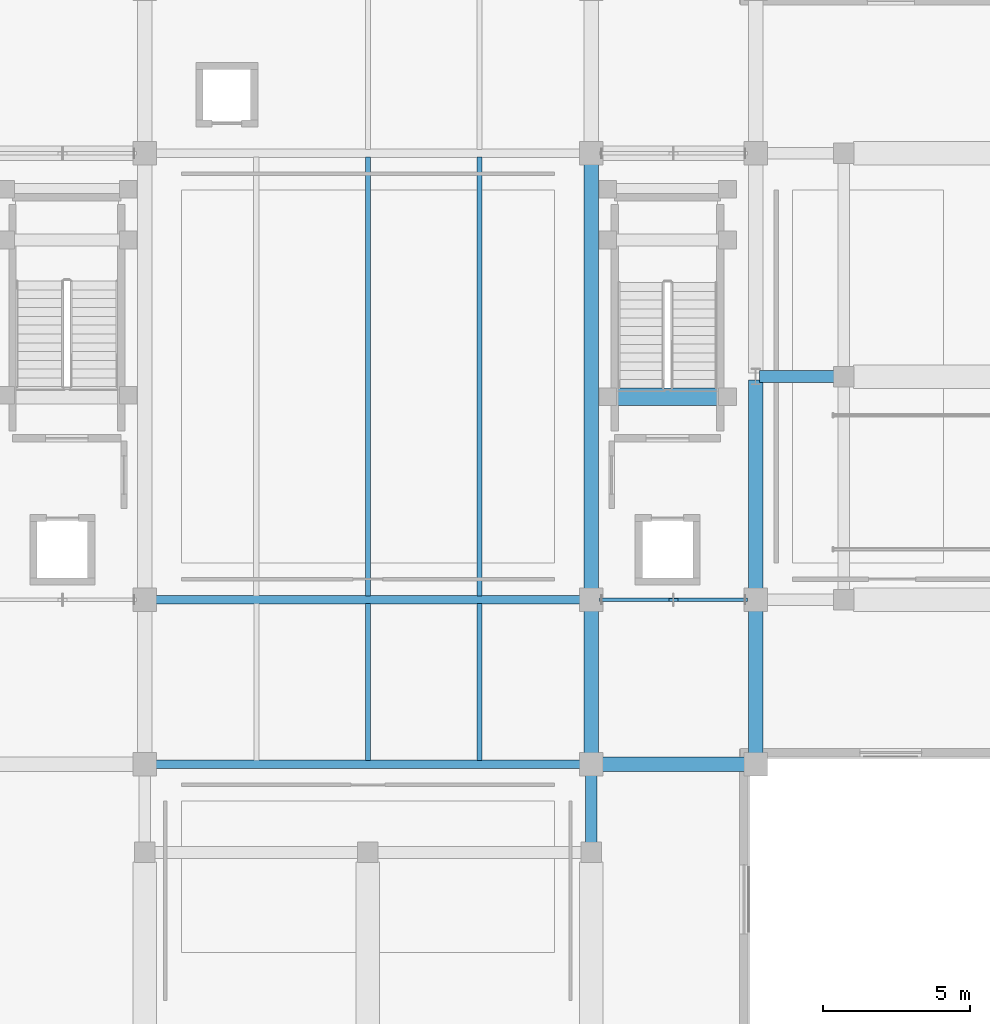
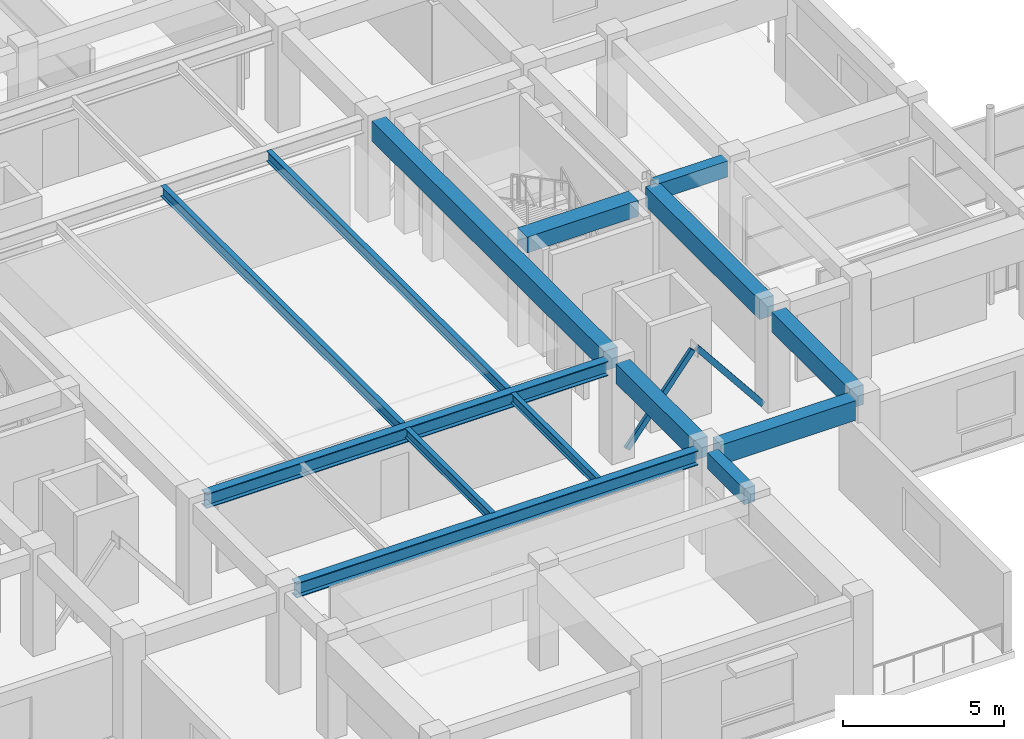
# One storey, part 21 of 70: 14 beams, 2 members.
"""IFC4 building model written with IfcOpenShell, lengths in metres."""

from ifc_helpers import new_model, si_unit, direction, frame, origin, origin_2d, place, context, subcontext, project, spatial, rectangle, hollow_rectangle, i_section, extrude, material, material_profile, profile_set, type_object, element, save


model = new_model("IFC4")

# Units and contexts
model_context = context("Model", 3, precision=1e-05, world=origin(), true_north=direction((0.0, 1.0)))
body_context = subcontext(model_context, "Body", "Model", "MODEL_VIEW")
ifc_project = project(units=[si_unit("LENGTHUNIT", "METRE"), si_unit("AREAUNIT", "SQUARE_METRE"), si_unit("VOLUMEUNIT", "CUBIC_METRE"), si_unit("PLANEANGLEUNIT", "RADIAN"), si_unit("MASSUNIT", "GRAM", prefix="KILO")], contexts=[model_context])

# Site, building, storey
site_placement = place(None, origin())
site = spatial("IfcSite", under=ifc_project, at=site_placement, CompositionType="ELEMENT")
building_placement = place(site_placement, origin())
building = spatial("IfcBuilding", under=site, at=building_placement, Name="Saryqyr Civic Hall", CompositionType="ELEMENT")
storey_placement = place(building_placement, frame((0.0, 0.0, 13.199951171875)))
storey = spatial("IfcBuildingStorey", under=building, at=storey_placement, Name="L03", CompositionType="ELEMENT", Elevation=13.199951171875)

# Beams
ifc_material_1 = material(Name="Steel S355", Category="steel")
ifc_material_profile_1 = material_profile(ifc_material_1, i_section(OverallWidth=0.300048828125, OverallDepth=0.550048828125, WebThickness=0.014892578125, FlangeThickness=0.029052734375, at=origin_2d()), Name="HEB 550")
ifc_profile_set_1 = profile_set([ifc_material_profile_1], Name="Steel S355")
beam_type_1 = type_object("IfcBeamType", Name="STR-BM-HEB550", PredefinedType="BEAM", material=ifc_profile_set_1)
for number, where, z_axis, x_axis, name in (
    (1, (49.77490234375, 70.800048828125, 3.51513671875), (1.0, 0.0, 0.0), (0.0, 1.0, 0.0), "Beam V1-GBM-EW1-L03"),
    (2, (49.77490234375, 76.39990234375, 3.51513671875), (1.0, 0.0, 0.0), (0.0, 1.0, 0.0), "Beam V1-GBM-EW2-L03"),
):
    element("IfcBeam", number, at=place(storey_placement, frame(where, z_axis=z_axis, x_axis=x_axis)), inside=storey, type_object=beam_type_1, Name=name, PredefinedType="BEAM", context=body_context, shape_type="SweptSolid", body=[
        extrude(i_section(OverallWidth=0.300048828125, OverallDepth=0.550048828125, WebThickness=0.014892578125, FlangeThickness=0.029052734375, at=origin_2d()), origin(), (0.0, 0.0, 1.0), 14.4501953125),
    ])
ifc_material_2 = material(Name="Concrete C35/45", Category="concrete")
ifc_material_profile_2 = material_profile(ifc_material_2, rectangle(XDim=0.39990234375, YDim=0.60009765625, at=origin_2d()), Name="RC 400x600")
ifc_profile_set_2 = profile_set([ifc_material_profile_2], Name="Concrete C35/45")
beam_type_2 = type_object("IfcBeamType", Name="STR-BM-RC400x600", PredefinedType="BEAM", material=ifc_profile_set_2)
beam_1_placement = place(storey_placement, frame((70.324951171875, 84.0, 3.489990234375), z_axis=(1.0, 0.0, 0.0), x_axis=(0.0, 1.0, 0.0)))
element("IfcBeam", 3, at=beam_1_placement, inside=storey, type_object=beam_type_2, Name="Beam V1-TBM-13-L03", PredefinedType="BEAM", context=body_context, shape_type="SweptSolid", body=[
    extrude(rectangle(XDim=0.39990234375, YDim=0.60009765625, at=origin_2d()), origin(), (0.0, 0.0, 1.0), 2.550048828125),
])
beam_2_placement = place(storey_placement, frame((64.60009765625, 68.125, 3.489990234375), z_axis=(0.0, 1.0, 0.0), x_axis=(-1.0, 0.0, 0.0)))
element("IfcBeam", 4, at=beam_2_placement, inside=storey, type_object=beam_type_2, Name="Beam V1-TBM-16-L03", PredefinedType="BEAM", context=body_context, shape_type="SweptSolid", body=[
    extrude(rectangle(XDim=0.39990234375, YDim=0.60009765625, at=origin_2d()), origin(), (0.0, 0.0, 1.0), 2.300048828125),
])
ifc_material_3 = material(Name="Concrete C40/50", Category="concrete")
ifc_material_profile_3 = material_profile(ifc_material_3, rectangle(XDim=0.5, YDim=0.75, at=origin_2d()), Name="RC 500x750")
ifc_profile_set_3 = profile_set([ifc_material_profile_3], Name="Concrete C40/50")
beam_type_3 = type_object("IfcBeamType", Name="STR-BM-RC500x750", PredefinedType="BEAM", material=ifc_profile_set_3)
for number, where, z_axis, x_axis, name in (
    (5, (64.97509765625, 70.800048828125, 3.4150390625), (1.0, 0.0, 0.0), (0.0, 1.0, 0.0), "Beam V1-WBM-E1-L03"),
    (6, (64.60009765625, 71.175048828125, 3.4150390625), (0.0, 1.0, 0.0), (-1.0, 0.0, 0.0), "Beam V1-BM-NS31-L03"),
):
    element("IfcBeam", number, at=place(storey_placement, frame(where, z_axis=z_axis, x_axis=x_axis)), inside=storey, type_object=beam_type_3, Name=name, PredefinedType="BEAM", context=body_context, shape_type="SweptSolid", body=[
        extrude(rectangle(XDim=0.5, YDim=0.75, at=origin_2d()), origin(), (0.0, 0.0, 1.0), 4.849853515625),
    ])
beam_3_placement = place(storey_placement, frame((64.60009765625, 76.77490234375, 3.4150390625), z_axis=(0.0, 1.0, 0.0), x_axis=(-1.0, 0.0, 0.0)))
element("IfcBeam", 7, at=beam_3_placement, inside=storey, type_object=beam_type_3, Name="Beam V1-BM-NS32-L03", PredefinedType="BEAM", context=body_context, shape_type="SweptSolid", body=[
    extrude(rectangle(XDim=0.5, YDim=0.75, at=origin_2d()), origin(), (0.0, 0.0, 1.0), 14.4501953125),
])
beam_4_placement = place(storey_placement, frame((70.199951171875, 71.175048828125, 3.4150390625), z_axis=(0.0, 1.0, 0.0), x_axis=(-1.0, 0.0, 0.0)))
element("IfcBeam", 8, at=beam_4_placement, inside=storey, type_object=beam_type_3, Name="Beam V1-BM-NS41-L03", PredefinedType="BEAM", context=body_context, shape_type="SweptSolid", body=[
    extrude(rectangle(XDim=0.5, YDim=0.75, at=origin_2d()), origin(), (0.0, 0.0, 1.0), 4.849853515625),
])
beam_5_placement = place(storey_placement, frame((70.199951171875, 76.77490234375, 3.4150390625), z_axis=(0.0, 1.0, 0.0), x_axis=(-1.0, 0.0, 0.0)))
element("IfcBeam", 9, at=beam_5_placement, inside=storey, type_object=beam_type_3, Name="Beam V1-BM-NS4A-L03", PredefinedType="BEAM", context=body_context, shape_type="SweptSolid", body=[
    extrude(rectangle(XDim=0.5, YDim=0.75, at=origin_2d()), origin(), (0.0, 0.0, 1.0), 7.10009765625),
])
ifc_material_profile_4 = material_profile(ifc_material_3, rectangle(XDim=0.60009765625, YDim=0.60009765625, at=origin_2d()), Name="RC 600x600")
ifc_profile_set_4 = profile_set([ifc_material_profile_4], Name="Concrete C40/50")
beam_type_4 = type_object("IfcBeamType", Name="STR-BM-RC600x600", PredefinedType="BEAM", material=ifc_profile_set_4)
beam_6_placement = place(storey_placement, frame((69.199951171875, 83.31494140625, 3.75), z_axis=(-1.0, 0.0, 0.0), x_axis=(0.0, -1.0, 0.0)))
element("IfcBeam", 10, at=beam_6_placement, inside=storey, type_object=beam_type_4, Name="Stair well trimmer beam ST-2-L04", PredefinedType="BEAM", context=body_context, shape_type="SweptSolid", body=[
    extrude(rectangle(XDim=0.60009765625, YDim=0.60009765625, at=origin_2d()), origin(), (0.0, 0.0, 1.0), 4.0),
])

# Members
ifc_material_profile_5 = material_profile(ifc_material_1, hollow_rectangle(XDim=0.1201171875, YDim=0.199951171875, WallThickness=0.010009765625, at=origin_2d()), Name="RHS 200x120x10")
ifc_profile_set_5 = profile_set([ifc_material_profile_5], Name="Steel S355")
member_type = type_object("IfcMemberType", Name="STR-BR-RHS200", PredefinedType="BRACE", material=ifc_profile_set_5)
for number, where, z_axis, x_axis, name in (
    (11, (64.9599609375, 76.39990234375, 0.1201171875), (0.624718690137, 0.0, 0.78084989479), (0.0, 1.0, 0.0), "Seismic chevron brace 2A L03"),
    (12, (69.840087890625, 76.39990234375, 0.1201171875), (-0.624718690137, 0.0, 0.78084989479), (0.0, -1.0, 0.0), "Seismic chevron brace 2B L03"),
):
    element("IfcMember", number, at=place(storey_placement, frame(where, z_axis=z_axis, x_axis=x_axis)), inside=storey, type_object=member_type, Name=name, PredefinedType="BRACE", context=body_context, shape_type="SweptSolid", body=[
        extrude(hollow_rectangle(XDim=0.1201171875, YDim=0.199951171875, WallThickness=0.010009765625, at=origin_2d()), origin(), (0.0, 0.0, 1.0), 3.77783203125),
    ])

# Beams
ifc_material_profile_6 = material_profile(ifc_material_1, i_section(OverallWidth=0.169921875, OverallDepth=0.360107421875, WebThickness=0.008056640625, FlangeThickness=0.0126953125, at=origin_2d()), Name="IPE 360")
ifc_profile_set_6 = profile_set([ifc_material_profile_6], Name="Steel S355")
beam_type_5 = type_object("IfcBeamType", Name="STR-JST-IPE360", PredefinedType="JOIST", material=ifc_profile_set_6)
for number, where, z_axis, x_axis, name in (
    (13, (57.0, 70.929931640625, 3.610107421875), (0.0, 1.0, 0.0), (-1.0, 0.0, 0.0), "Beam V1-JST-2-1-L03"),
    (14, (60.800048828125, 70.929931640625, 3.610107421875), (0.0, 1.0, 0.0), (-1.0, 0.0, 0.0), "Beam V1-JST-3-1-L03"),
):
    element("IfcBeam", number, at=place(storey_placement, frame(where, z_axis=z_axis, x_axis=x_axis)), inside=storey, type_object=beam_type_5, Name=name, PredefinedType="JOIST", context=body_context, shape_type="SweptSolid", body=[
        extrude(i_section(OverallWidth=0.169921875, OverallDepth=0.360107421875, WebThickness=0.008056640625, FlangeThickness=0.0126953125, at=origin_2d()), origin(), (0.0, 0.0, 1.0), 5.340087890625),
    ])
ifc_material_profile_7 = material_profile(ifc_material_1, i_section(OverallWidth=0.179931640625, OverallDepth=0.39990234375, WebThickness=0.008544921875, FlangeThickness=0.013427734375, at=origin_2d()), Name="IPE 400")
ifc_profile_set_7 = profile_set([ifc_material_profile_7], Name="Steel S355")
beam_type_6 = type_object("IfcBeamType", Name="STR-JST-IPE400", PredefinedType="JOIST", material=ifc_profile_set_7)
for number, where, z_axis, x_axis, name in (
    (15, (57.0, 76.530029296875, 3.590087890625), (0.0, 1.0, 0.0), (-1.0, 0.0, 0.0), "Beam V1-JST-2-2-L03"),
    (16, (60.800048828125, 76.530029296875, 3.590087890625), (0.0, 1.0, 0.0), (-1.0, 0.0, 0.0), "Beam V1-JST-3-2-L03"),
):
    element("IfcBeam", number, at=place(storey_placement, frame(where, z_axis=z_axis, x_axis=x_axis)), inside=storey, type_object=beam_type_6, Name=name, PredefinedType="JOIST", context=body_context, shape_type="SweptSolid", body=[
        extrude(i_section(OverallWidth=0.179931640625, OverallDepth=0.39990234375, WebThickness=0.008544921875, FlangeThickness=0.013427734375, at=origin_2d()), origin(), (0.0, 0.0, 1.0), 14.93994140625),
    ])

save(model, "model.ifc")
